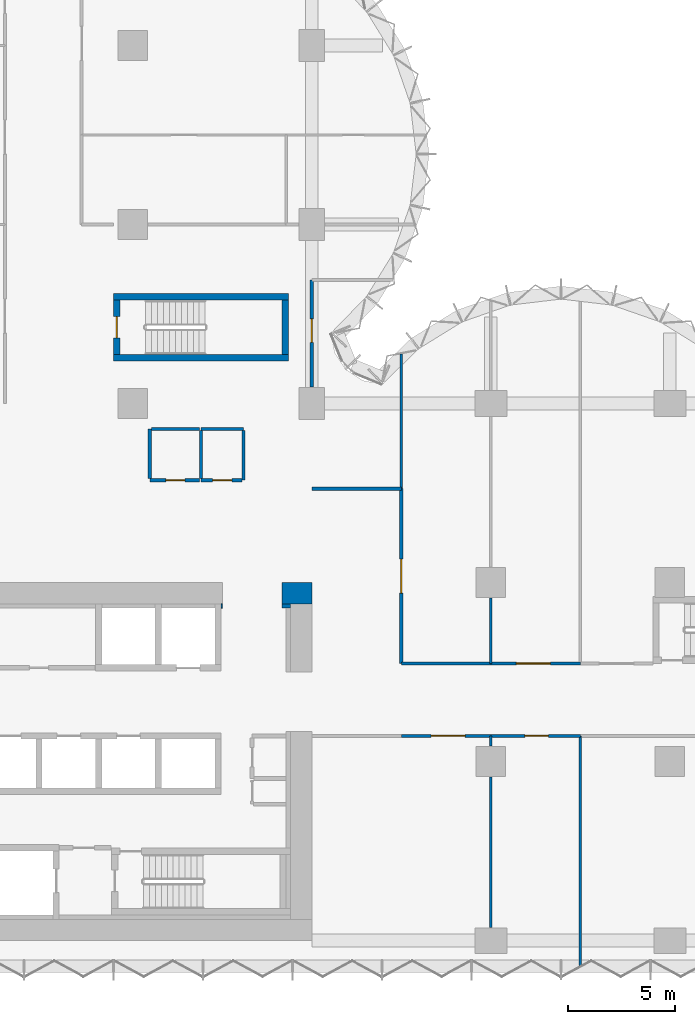
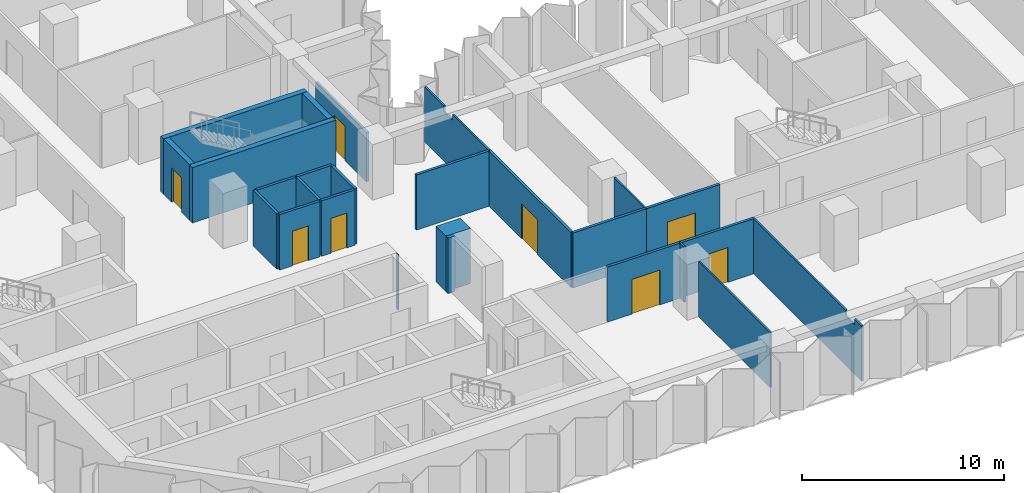
# One storey, part 9 of 15: 26 walls, 8 doors, 8 openings.
"""IFC4 building model written with IfcOpenShell, lengths in metres."""

from ifc_helpers import new_model, si_unit, direction, frame, frame_2d, origin, place, context, subcontext, project, spatial, polyline, rectangle, outline, extrude, material, layer, layer_set, type_object, element, fill, save


model = new_model("IFC4")

# Units and contexts
model_context = context("Model", 3, precision=1e-05, world=origin(), true_north=direction((0.0, 1.0)))
body_context = subcontext(model_context, "Body", "Model", "MODEL_VIEW")
ifc_project = project(units=[si_unit("LENGTHUNIT", "METRE"), si_unit("AREAUNIT", "SQUARE_METRE"), si_unit("VOLUMEUNIT", "CUBIC_METRE"), si_unit("PLANEANGLEUNIT", "RADIAN"), si_unit("MASSUNIT", "GRAM", prefix="KILO")], contexts=[model_context])

# Site, building, storey
site_placement = place(None, origin())
site = spatial("IfcSite", under=ifc_project, at=site_placement, CompositionType="ELEMENT")
building_placement = place(site_placement, origin())
building = spatial("IfcBuilding", under=site, at=building_placement, Name="Brevane Broadcast Tower", CompositionType="ELEMENT")
storey_placement = place(building_placement, frame((0.0, 0.0, 76.10009765625)))
storey = spatial("IfcBuildingStorey", under=building, at=storey_placement, Name="L17", CompositionType="ELEMENT", Elevation=76.10009765625)

# Walls
ifc_material_1 = material(Name="Concrete C32/40", Category="concrete")
ifc_layer_1 = layer(ifc_material_1, 0.199951171875)
ifc_layer_set_1 = layer_set([ifc_layer_1], Name="Core chase wall 200 mm")
wall_type_1 = type_object("IfcWallType", Name="Core chase wall 200 mm", PredefinedType="PARTITIONING", material=ifc_layer_set_1)
wall_1_placement = place(storey_placement, frame((23.800048828125, 15.699951171875, 0.0), z_axis=(0.0, 0.0, 1.0), x_axis=(1.0, 0.0, 0.0)))
element("IfcWall", 1, at=wall_1_placement, inside=storey, type_object=wall_type_1, Name="L17 chase wall LN2", PredefinedType="PARTITIONING", context=body_context, shape_type="SweptSolid", body=[
    extrude(rectangle(XDim=0.39990234375, YDim=0.199951171875, at=frame_2d((0.199951171875, 0.0))), origin(), (0.0, 0.0, 1.0), 3.349853515625),
])
wall_2_placement = place(storey_placement, frame((20.949951171875, 15.699951171875, 0.0), z_axis=(0.0, 0.0, 1.0), x_axis=(1.0, 0.0, 0.0)))
element("IfcWall", 2, at=wall_2_placement, inside=storey, type_object=wall_type_1, Name="L17 chase wall LN1-2-2-2-2", PredefinedType="PARTITIONING", context=body_context, shape_type="SweptSolid", body=[
    extrude(rectangle(XDim=0.050048828125, YDim=0.199951171875, at=frame_2d((0.02490234375, 0.0))), origin(), (0.0, 0.0, 1.0), 3.349853515625),
])
ifc_material_2 = material(Name="Gypsum board on steel studs", Category="steel")
ifc_layer_2 = layer(ifc_material_2, 0.14990234375)
ifc_layer_set_2 = layer_set([ifc_layer_2], Name="Core fire partition 150 mm")
wall_type_2 = type_object("IfcWallType", Name="Core fire partition 150 mm", PredefinedType="PARTITIONING", material=ifc_layer_set_2)
wall_3_placement = place(storey_placement, frame((20.0, 24.0, 0.0), z_axis=(0.0, 0.0, 1.0), x_axis=(1.0, 0.0, 0.0)))
element("IfcWall", 3, at=wall_3_placement, inside=storey, type_object=wall_type_2, Name="L17 partition wall P15", PredefinedType="PARTITIONING", context=body_context, shape_type="SweptSolid", body=[
    extrude(rectangle(XDim=2.0, YDim=0.14990234375, at=frame_2d((1.0, 0.0))), origin(), (0.0, 0.0, 1.0), 3.349853515625),
])
wall_4_placement = place(storey_placement, frame((22.0, 23.925048828125, 0.0), z_axis=(0.0, 0.0, 1.0), x_axis=(0.0, -1.0, 0.0)))
element("IfcWall", 4, at=wall_4_placement, inside=storey, type_object=wall_type_2, Name="L17 partition wall P16", PredefinedType="PARTITIONING", context=body_context, shape_type="SweptSolid", body=[
    extrude(rectangle(XDim=2.324951171875, YDim=0.14990234375, at=frame_2d((1.16259765625, 0.0))), origin(), (0.0, 0.0, 1.0), 3.349853515625),
])

# Wall, opening, door
wall_5_placement = place(storey_placement, frame((21.925048828125, 21.60009765625, 0.0), z_axis=(0.0, 0.0, 1.0), x_axis=(-1.0, 0.0, 0.0)))
wall_5 = element("IfcWall", 5, at=wall_5_placement, inside=storey, type_object=wall_type_2, Name="L17 partition wall P17", PredefinedType="PARTITIONING", context=body_context, shape_type="SweptSolid", body=[
    extrude(rectangle(XDim=1.925048828125, YDim=0.14990234375, at=frame_2d((0.96240234375, 0.0))), origin(), (0.0, 0.0, 1.0), 3.349853515625),
])
opening_1_placement = place(wall_5_placement, frame((0.47509765625, 0.0, 0.0)))
opening_1 = element("IfcOpeningElement", 6, at=opening_1_placement, cuts=wall_5, Name="Opening L17-K24", PredefinedType="OPENING", context=body_context, shape_type="SweptSolid", body=[
    extrude(rectangle(XDim=0.89990234375, YDim=2.10009765625, at=frame_2d((0.449951171875, 1.050048828125))), frame((0.0, 0.0849609375, 0.0), z_axis=(0.0, -1.0, 0.0), x_axis=(1.0, 0.0, 0.0)), (0.0, 0.0, 1.0), 0.169921875),
])
ifc_material_3 = material(Name="Timber", Category="wood")
door_type_1 = type_object("IfcDoorType", Name="Toilet door 900 x 2100", OperationType="SINGLE_SWING_LEFT", PredefinedType="DOOR", material=ifc_material_3)
door_1_placement = place(opening_1_placement, origin())
door_1 = element("IfcDoor", 7, at=door_1_placement, inside=storey, type_object=door_type_1, Name="Door L17-K24", OperationType="SINGLE_SWING_RIGHT", OverallHeight=2.10009765625, OverallWidth=0.89990234375, PredefinedType="DOOR", context=body_context, shape_type="SweptSolid", body=[
    extrude(rectangle(XDim=0.89990234375, YDim=2.10009765625, at=frame_2d((0.449951171875, 1.050048828125))), frame((0.0, 0.02490234375, 0.0), z_axis=(0.0, -1.0, 0.0), x_axis=(1.0, 0.0, 0.0)), (0.0, 0.0, 1.0), 0.050048828125),
])
fill(opening_1, door_1)

# Wall
wall_6_placement = place(storey_placement, frame((20.0, 21.675048828125, 0.0), z_axis=(0.0, 0.0, 1.0), x_axis=(0.0, 1.0, 0.0)))
element("IfcWall", 8, at=wall_6_placement, inside=storey, type_object=wall_type_2, Name="L17 partition wall P18", PredefinedType="PARTITIONING", context=body_context, shape_type="SweptSolid", body=[
    extrude(rectangle(XDim=2.25, YDim=0.14990234375, at=frame_2d((1.125, 0.0))), origin(), (0.0, 0.0, 1.0), 3.349853515625),
])

# Wall, opening, door
wall_7_placement = place(storey_placement, frame((19.925048828125, 21.60009765625, 0.0), z_axis=(0.0, 0.0, 1.0), x_axis=(-1.0, 0.0, 0.0)))
wall_7 = element("IfcWall", 9, at=wall_7_placement, inside=storey, type_object=wall_type_2, Name="L17 partition wall P19", PredefinedType="PARTITIONING", context=body_context, shape_type="SweptSolid", body=[
    extrude(rectangle(XDim=2.324951171875, YDim=0.14990234375, at=frame_2d((1.16259765625, 0.0))), origin(), (0.0, 0.0, 1.0), 3.349853515625),
])
opening_2_placement = place(wall_7_placement, frame((0.675048828125, 0.0, 0.0)))
opening_2 = element("IfcOpeningElement", 10, at=opening_2_placement, cuts=wall_7, Name="Opening L17-K25", PredefinedType="OPENING", context=body_context, shape_type="SweptSolid", body=[
    extrude(rectangle(XDim=0.89990234375, YDim=2.10009765625, at=frame_2d((0.449951171875, 1.050048828125))), frame((0.0, 0.0849609375, 0.0), z_axis=(0.0, -1.0, 0.0), x_axis=(1.0, 0.0, 0.0)), (0.0, 0.0, 1.0), 0.169921875),
])
ifc_material_4 = material(Name="Steel", Category="steel")
door_type_2 = type_object("IfcDoorType", Name="Service room door 900 x 2100", OperationType="SINGLE_SWING_LEFT", PredefinedType="DOOR", material=ifc_material_4)
door_2_placement = place(opening_2_placement, origin())
door_2 = element("IfcDoor", 11, at=door_2_placement, inside=storey, type_object=door_type_2, Name="Door L17-K25", OperationType="SINGLE_SWING_LEFT", OverallHeight=2.10009765625, OverallWidth=0.89990234375, PredefinedType="DOOR", context=body_context, shape_type="SweptSolid", body=[
    extrude(rectangle(XDim=0.89990234375, YDim=2.10009765625, at=frame_2d((0.449951171875, 1.050048828125))), frame((0.0, 0.02490234375, 0.0), z_axis=(0.0, -1.0, 0.0), x_axis=(1.0, 0.0, 0.0)), (0.0, 0.0, 1.0), 0.050048828125),
])
fill(opening_2, door_2)

# Walls
wall_8_placement = place(storey_placement, frame((17.60009765625, 21.675048828125, 0.0), z_axis=(0.0, 0.0, 1.0), x_axis=(0.0, 1.0, 0.0)))
element("IfcWall", 12, at=wall_8_placement, inside=storey, type_object=wall_type_2, Name="L17 partition wall P20", PredefinedType="PARTITIONING", context=body_context, shape_type="SweptSolid", body=[
    extrude(rectangle(XDim=2.324951171875, YDim=0.14990234375, at=frame_2d((1.16259765625, 0.0))), origin(), (0.0, 0.0, 1.0), 3.349853515625),
])
wall_9_placement = place(storey_placement, frame((17.675048828125, 24.0, 0.0), z_axis=(0.0, 0.0, 1.0), x_axis=(1.0, 0.0, 0.0)))
element("IfcWall", 13, at=wall_9_placement, inside=storey, type_object=wall_type_2, Name="L17 partition wall P21", PredefinedType="PARTITIONING", context=body_context, shape_type="SweptSolid", body=[
    extrude(rectangle(XDim=2.25, YDim=0.14990234375, at=frame_2d((1.125, 0.0))), origin(), (0.0, 0.0, 1.0), 3.349853515625),
])
ifc_material_5 = material(Name="Concrete C80/95", Category="concrete")
ifc_layer_3 = layer(ifc_material_5, 1.0)
ifc_layer_set_3 = layer_set([ifc_layer_3], Name="Core wall 1000 mm C80/95")
wall_type_3 = type_object("IfcWallType", Name="Core wall 1000 mm C80/95", PredefinedType="SHEAR", material=ifc_layer_set_3)
wall_10_placement = place(storey_placement, frame((23.800048828125, 16.300048828125, 0.0), z_axis=(0.0, 0.0, 1.0), x_axis=(1.0, 0.0, 0.0)))
element("IfcWall", 14, at=wall_10_placement, inside=storey, type_object=wall_type_3, Name="L17 outer wall WN2", PredefinedType="SHEAR", context=body_context, shape_type="SweptSolid", body=[
    extrude(rectangle(XDim=1.39990234375, YDim=1.0, at=frame_2d((0.699951171875, 0.0))), origin(), (0.0, 0.0, 1.0), 3.349853515625),
])
ifc_layer_4 = layer(ifc_material_5, 0.300048828125)
ifc_layer_set_4 = layer_set([ifc_layer_4], Name="Core wall 300 mm C80/95")
wall_type_4 = type_object("IfcWallType", Name="Core wall 300 mm C80/95", PredefinedType="SHEAR", material=ifc_layer_set_4)
for number, where, z_axis, x_axis, name in (
    (15, (15.89990234375, 27.35009765625, 0.0), (0.0, 0.0, 1.0), (1.0, 0.0, 0.0), "L17 stair wall ST-3-S"),
    (16, (15.89990234375, 30.199951171875, 0.0), (0.0, 0.0, 1.0), (1.0, 0.0, 0.0), "L17 stair wall ST-3-N"),
):
    element("IfcWall", number, at=place(storey_placement, frame(where, z_axis=z_axis, x_axis=x_axis)), inside=storey, type_object=wall_type_4, Name=name, PredefinedType="SHEAR", context=body_context, shape_type="SweptSolid", body=[
        extrude(rectangle(XDim=8.2001953125, YDim=0.300048828125, at=frame_2d((4.10009765625, 0.0))), origin(), (0.0, 0.0, 1.0), 3.349853515625),
    ])

# Wall, opening, door
wall_11_placement = place(storey_placement, frame((16.050048828125, 27.5, 0.0), z_axis=(0.0, 0.0, 1.0), x_axis=(0.0, 1.0, 0.0)))
wall_11 = element("IfcWall", 17, at=wall_11_placement, inside=storey, type_object=wall_type_4, Name="L17 stair wall ST-3-W", PredefinedType="SHEAR", context=body_context, shape_type="SweptSolid", body=[
    extrude(rectangle(XDim=2.550048828125, YDim=0.300048828125, at=frame_2d((1.27490234375, 0.0))), origin(), (0.0, 0.0, 1.0), 3.349853515625),
])
opening_3_placement = place(wall_11_placement, frame((0.77490234375, 0.0, 0.0)))
opening_3 = element("IfcOpeningElement", 18, at=opening_3_placement, cuts=wall_11, Name="Opening L17-K14", PredefinedType="OPENING", context=body_context, shape_type="SweptSolid", body=[
    extrude(rectangle(XDim=1.0, YDim=2.10009765625, at=frame_2d((0.5, 1.050048828125))), frame((0.0, 0.159912109375, 0.0), z_axis=(0.0, -1.0, 0.0), x_axis=(1.0, 0.0, 0.0)), (0.0, 0.0, 1.0), 0.320068359375),
])
door_type_3 = type_object("IfcDoorType", Name="Stair door 1000 x 2100", OperationType="SINGLE_SWING_LEFT", PredefinedType="DOOR", material=ifc_material_4)
door_3_placement = place(opening_3_placement, origin())
door_3 = element("IfcDoor", 19, at=door_3_placement, inside=storey, type_object=door_type_3, Name="Door L17-K14", OperationType="SINGLE_SWING_RIGHT", OverallHeight=2.10009765625, OverallWidth=1.0, PredefinedType="DOOR", context=body_context, shape_type="SweptSolid", body=[
    extrude(rectangle(XDim=1.0, YDim=2.10009765625, at=frame_2d((0.5, 1.050048828125))), frame((0.0, 0.02490234375, 0.0), z_axis=(0.0, -1.0, 0.0), x_axis=(1.0, 0.0, 0.0)), (0.0, 0.0, 1.0), 0.050048828125),
])
fill(opening_3, door_3)

# Walls
wall_12_placement = place(storey_placement, frame((23.949951171875, 27.5, 0.0), z_axis=(0.0, 0.0, 1.0), x_axis=(0.0, 1.0, 0.0)))
element("IfcWall", 20, at=wall_12_placement, inside=storey, type_object=wall_type_4, Name="L17 stair wall ST-3-E", PredefinedType="SHEAR", context=body_context, shape_type="SweptSolid", body=[
    extrude(rectangle(XDim=2.550048828125, YDim=0.300048828125, at=frame_2d((1.27490234375, 0.0))), origin(), (0.0, 0.0, 1.0), 3.349853515625),
])
ifc_material_6 = material(Name="Gypsum board partition")
ifc_layer_5 = layer(ifc_material_6, 0.10009765625)
ifc_layer_set_5 = layer_set([ifc_layer_5], Name="PARTITION 100 STUD")
wall_type_5 = type_object("IfcWallType", Name="PARTITION 100 STUD", PredefinedType="PARTITIONING", material=ifc_layer_set_5)
wall_13_placement = place(storey_placement, frame((29.39990234375, 27.510986328125, 0.0), z_axis=(0.0, 0.0, 1.0), x_axis=(0.0, -1.0, 0.0)))
element("IfcWall", 21, at=wall_13_placement, inside=storey, type_object=wall_type_5, Name="Partition G04-004", PredefinedType="PARTITIONING", context=body_context, shape_type="SweptSolid", body=[
    extrude(outline(polyline([(0.0, 0.0), (6.31103515625, 0.0), (6.31103515625, 3.329833984375), (2.760986328125, 3.329833984375), (2.759033203125, 2.97998046875), (1.863037109375, 2.97998046875), (1.861083984375, 3.329833984375), (0.236083984375, 3.329833984375), (0.0, 3.329833984375), (0.0, 0.0)])), frame((0.0, 0.050048828125, 0.0), z_axis=(0.0, -1.0, 0.0), x_axis=(1.0, 0.0, 0.0)), (0.0, 0.0, 1.0), 0.10009765625),
])
wall_14_placement = place(storey_placement, frame((33.60009765625, 9.60009765625, 0.0), z_axis=(0.0, 0.0, 1.0), x_axis=(0.0, -1.0, 0.0)))
element("IfcWall", 22, at=wall_14_placement, inside=storey, type_object=wall_type_5, Name="Partition G04-022", PredefinedType="PARTITIONING", context=body_context, shape_type="SweptSolid", body=[
    extrude(rectangle(XDim=0.47998046875, YDim=0.10009765625, at=frame_2d((0.239990234375, 0.0))), origin(), (0.0, 0.0, 1.0), 3.329833984375),
])
wall_15_placement = place(storey_placement, frame((33.60009765625, 7.679931640625, 0.0), z_axis=(0.0, 0.0, 1.0), x_axis=(0.0, -1.0, 0.0)))
element("IfcWall", 23, at=wall_15_placement, inside=storey, type_object=wall_type_5, Name="Partition G04-023", PredefinedType="PARTITIONING", context=body_context, shape_type="SweptSolid", body=[
    extrude(rectangle(XDim=7.059814453125, YDim=0.10009765625, at=frame_2d((3.52978515625, 0.0))), origin(), (0.0, 0.0, 1.0), 3.329833984375),
])
wall_16_placement = place(storey_placement, frame((37.800048828125, 9.60009765625, 0.0), z_axis=(0.0, 0.0, 1.0), x_axis=(0.0, -1.0, 0.0)))
element("IfcWall", 24, at=wall_16_placement, inside=storey, type_object=wall_type_5, Name="Partition G04-024", PredefinedType="PARTITIONING", context=body_context, shape_type="SweptSolid", body=[
    extrude(outline(polyline([(0.0, 0.0), (10.774169921875, 0.0), (10.77392578125, 3.329833984375), (10.699951171875, 3.329833984375), (10.050048828125, 3.329833984375), (10.048095703125, 2.97998046875), (9.152099609375, 2.97998046875), (9.14990234375, 3.329833984375), (0.0, 3.329833984375), (0.0, 0.0)])), frame((0.0, 0.050048828125, 0.0), z_axis=(0.0, -1.0, 0.0), x_axis=(1.0, 0.0, 0.0)), (0.0, 0.0, 1.0), 0.10009765625),
])
wall_17_placement = place(storey_placement, frame((33.60009765625, 16.080078125, 0.0), z_axis=(0.0, 0.0, 1.0), x_axis=(0.0, -1.0, 0.0)))
element("IfcWall", 25, at=wall_17_placement, inside=storey, type_object=wall_type_5, Name="Partition G04-028", PredefinedType="PARTITIONING", context=body_context, shape_type="SweptSolid", body=[
    extrude(rectangle(XDim=3.080078125, YDim=0.10009765625, at=frame_2d((1.5400390625, 0.0))), origin(), (0.0, 0.0, 1.0), 3.329833984375),
])
ifc_layer_6 = layer(ifc_material_6, 0.14990234375)
ifc_layer_set_6 = layer_set([ifc_layer_6], Name="PARTITION 150 EI 60")
wall_type_6 = type_object("IfcWallType", Name="PARTITION 150 EI 60", PredefinedType="PARTITIONING", material=ifc_layer_set_6)
wall_18_placement = place(storey_placement, frame((25.199951171875, 21.199951171875, 0.0), z_axis=(0.0, 0.0, 1.0), x_axis=(1.0, 0.0, 0.0)))
element("IfcWall", 26, at=wall_18_placement, inside=storey, type_object=wall_type_6, Name="Partition G04-001", PredefinedType="PARTITIONING", context=body_context, shape_type="SweptSolid", body=[
    extrude(rectangle(XDim=4.199951171875, YDim=0.14990234375, at=frame_2d((2.10009765625, 0.0))), origin(), (0.0, 0.0, 1.0), 3.329833984375),
])

# Wall, opening, door
wall_19_placement = place(storey_placement, frame((29.39990234375, 21.199951171875, 0.0), z_axis=(0.0, 0.0, 1.0), x_axis=(0.0, -1.0, 0.0)))
wall_19 = element("IfcWall", 27, at=wall_19_placement, inside=storey, type_object=wall_type_6, Name="Partition G04-003", PredefinedType="PARTITIONING", context=body_context, shape_type="SweptSolid", body=[
    extrude(rectangle(XDim=8.199951171875, YDim=0.14990234375, at=frame_2d((4.10009765625, 0.0))), origin(), (0.0, 0.0, 1.0), 3.329833984375),
])
opening_4_placement = place(wall_19_placement, frame((3.300048828125, 0.0, 0.0)))
opening_4 = element("IfcOpeningElement", 28, at=opening_4_placement, cuts=wall_19, Name="Opening D10-007", PredefinedType="OPENING", context=body_context, shape_type="SweptSolid", body=[
    extrude(rectangle(XDim=1.60009765625, YDim=2.10009765625, at=frame_2d((0.800048828125, 1.050048828125))), frame((0.0, 0.0849609375, 0.0), z_axis=(0.0, -1.0, 0.0), x_axis=(1.0, 0.0, 0.0)), (0.0, 0.0, 1.0), 0.169921875),
])
ifc_material_7 = material(Name="Fire-rated timber door leaf", Category="wood")
door_type_4 = type_object("IfcDoorType", Name="DOOR DOUBLE 1600 FD30S", OperationType="DOUBLE_DOOR_SINGLE_SWING", PredefinedType="DOOR", material=ifc_material_7)
door_4_placement = place(opening_4_placement, origin())
door_4 = element("IfcDoor", 29, at=door_4_placement, inside=storey, type_object=door_type_4, Name="Door D10-007", OperationType="DOUBLE_DOOR_SINGLE_SWING", OverallHeight=2.10009765625, OverallWidth=1.60009765625, PredefinedType="DOOR", context=body_context, shape_type="SweptSolid", body=[
    extrude(rectangle(XDim=1.60009765625, YDim=2.10009765625, at=frame_2d((0.800048828125, 1.050048828125))), frame((0.0, 0.02490234375, 0.0), z_axis=(0.0, -1.0, 0.0), x_axis=(1.0, 0.0, 0.0)), (0.0, 0.0, 1.0), 0.050048828125),
])
fill(opening_4, door_4)

wall_20_placement = place(storey_placement, frame((25.199951171875, 31.0, 0.0), z_axis=(0.0, 0.0, 1.0), x_axis=(0.0, -1.0, 0.0)))
wall_20 = element("IfcWall", 30, at=wall_20_placement, inside=storey, type_object=wall_type_6, Name="Partition G04-005", PredefinedType="PARTITIONING", context=body_context, shape_type="SweptSolid", body=[
    extrude(outline(polyline([(0.0, 0.0), (5.030029296875, 0.0), (5.030029296875, 2.97998046875), (0.0, 2.97998046875), (0.0, 0.0)])), frame((0.0, 0.074951171875, 0.0), z_axis=(0.0, -1.0, 0.0), x_axis=(1.0, 0.0, 0.0)), (0.0, 0.0, 1.0), 0.14990234375),
])
opening_5_placement = place(wall_20_placement, frame((1.830078125, 0.0, 0.0)))
opening_5 = element("IfcOpeningElement", 31, at=opening_5_placement, cuts=wall_20, Name="Opening D10-001", PredefinedType="OPENING", context=body_context, shape_type="SweptSolid", body=[
    extrude(rectangle(XDim=1.10009765625, YDim=2.10009765625, at=frame_2d((0.550048828125, 1.050048828125))), frame((0.0, 0.0849609375, 0.0), z_axis=(0.0, -1.0, 0.0), x_axis=(1.0, 0.0, 0.0)), (0.0, 0.0, 1.0), 0.169921875),
])
door_type_5 = type_object("IfcDoorType", Name="DOOR SINGLE 1100 FD30S", OperationType="SINGLE_SWING_LEFT", PredefinedType="DOOR", material=ifc_material_7)
door_5_placement = place(opening_5_placement, origin())
door_5 = element("IfcDoor", 32, at=door_5_placement, inside=storey, type_object=door_type_5, Name="Door D10-001", OperationType="SINGLE_SWING_RIGHT", OverallHeight=2.10009765625, OverallWidth=1.10009765625, PredefinedType="DOOR", context=body_context, shape_type="SweptSolid", body=[
    extrude(rectangle(XDim=1.10009765625, YDim=2.10009765625, at=frame_2d((0.550048828125, 1.050048828125))), frame((0.0, 0.02490234375, 0.0), z_axis=(0.0, -1.0, 0.0), x_axis=(1.0, 0.0, 0.0)), (0.0, 0.0, 1.0), 0.050048828125),
])
fill(opening_5, door_5)

wall_21_placement = place(storey_placement, frame((33.60009765625, 9.60009765625, 0.0), z_axis=(0.0, 0.0, 1.0), x_axis=(-1.0, 0.0, 0.0)))
wall_21 = element("IfcWall", 33, at=wall_21_placement, inside=storey, type_object=wall_type_6, Name="Partition G04-008", PredefinedType="PARTITIONING", context=body_context, shape_type="SweptSolid", body=[
    extrude(rectangle(XDim=4.2001953125, YDim=0.14990234375, at=frame_2d((2.10009765625, 0.0))), origin(), (0.0, 0.0, 1.0), 3.329833984375),
])
opening_6_placement = place(wall_21_placement, frame((1.199951171875, 0.0, 0.0)))
opening_6 = element("IfcOpeningElement", 34, at=opening_6_placement, cuts=wall_21, Name="Opening D10-003", PredefinedType="OPENING", context=body_context, shape_type="SweptSolid", body=[
    extrude(rectangle(XDim=1.60009765625, YDim=2.10009765625, at=frame_2d((0.800048828125, 1.050048828125))), frame((0.0, 0.0849609375, 0.0), z_axis=(0.0, -1.0, 0.0), x_axis=(1.0, 0.0, 0.0)), (0.0, 0.0, 1.0), 0.169921875),
])
door_6_placement = place(opening_6_placement, origin())
door_6 = element("IfcDoor", 35, at=door_6_placement, inside=storey, type_object=door_type_4, Name="Door D10-003", OperationType="DOUBLE_DOOR_SINGLE_SWING", OverallHeight=2.10009765625, OverallWidth=1.60009765625, PredefinedType="DOOR", context=body_context, shape_type="SweptSolid", body=[
    extrude(rectangle(XDim=1.60009765625, YDim=2.10009765625, at=frame_2d((0.800048828125, 1.050048828125))), frame((0.0, 0.02490234375, 0.0), z_axis=(0.0, -1.0, 0.0), x_axis=(1.0, 0.0, 0.0)), (0.0, 0.0, 1.0), 0.050048828125),
])
fill(opening_6, door_6)

wall_22_placement = place(storey_placement, frame((37.800048828125, 9.60009765625, 0.0), z_axis=(0.0, 0.0, 1.0), x_axis=(-1.0, 0.0, 0.0)))
wall_22 = element("IfcWall", 36, at=wall_22_placement, inside=storey, type_object=wall_type_6, Name="Partition G04-009", PredefinedType="PARTITIONING", context=body_context, shape_type="SweptSolid", body=[
    extrude(rectangle(XDim=4.199951171875, YDim=0.14990234375, at=frame_2d((2.10009765625, 0.0))), origin(), (0.0, 0.0, 1.0), 3.329833984375),
])
opening_7_placement = place(wall_22_placement, frame((1.5, 0.0, 0.0)))
opening_7 = element("IfcOpeningElement", 37, at=opening_7_placement, cuts=wall_22, Name="Opening D10-004", PredefinedType="OPENING", context=body_context, shape_type="SweptSolid", body=[
    extrude(rectangle(XDim=1.10009765625, YDim=2.10009765625, at=frame_2d((0.550048828125, 1.050048828125))), frame((0.0, 0.0849609375, 0.0), z_axis=(0.0, -1.0, 0.0), x_axis=(1.0, 0.0, 0.0)), (0.0, 0.0, 1.0), 0.169921875),
])
door_7_placement = place(opening_7_placement, origin())
door_7 = element("IfcDoor", 38, at=door_7_placement, inside=storey, type_object=door_type_5, Name="Door D10-004", OperationType="SINGLE_SWING_LEFT", OverallHeight=2.10009765625, OverallWidth=1.10009765625, PredefinedType="DOOR", context=body_context, shape_type="SweptSolid", body=[
    extrude(rectangle(XDim=1.10009765625, YDim=2.10009765625, at=frame_2d((0.550048828125, 1.050048828125))), frame((0.0, 0.02490234375, 0.0), z_axis=(0.0, -1.0, 0.0), x_axis=(1.0, 0.0, 0.0)), (0.0, 0.0, 1.0), 0.050048828125),
])
fill(opening_7, door_7)

# Wall
wall_23_placement = place(storey_placement, frame((29.39990234375, 13.0, 0.0), z_axis=(0.0, 0.0, 1.0), x_axis=(1.0, 0.0, 0.0)))
element("IfcWall", 39, at=wall_23_placement, inside=storey, type_object=wall_type_6, Name="Partition G04-012", PredefinedType="PARTITIONING", context=body_context, shape_type="SweptSolid", body=[
    extrude(rectangle(XDim=4.2001953125, YDim=0.14990234375, at=frame_2d((2.10009765625, 0.0))), origin(), (0.0, 0.0, 1.0), 3.329833984375),
])

# Wall, opening, door
wall_24_placement = place(storey_placement, frame((33.60009765625, 13.0, 0.0), z_axis=(0.0, 0.0, 1.0), x_axis=(1.0, 0.0, 0.0)))
wall_24 = element("IfcWall", 40, at=wall_24_placement, inside=storey, type_object=wall_type_6, Name="Partition G04-013", PredefinedType="PARTITIONING", context=body_context, shape_type="SweptSolid", body=[
    extrude(rectangle(XDim=4.199951171875, YDim=0.14990234375, at=frame_2d((2.10009765625, 0.0))), origin(), (0.0, 0.0, 1.0), 3.329833984375),
])
opening_8_placement = place(wall_24_placement, frame((1.199951171875, 0.0, 0.0)))
opening_8 = element("IfcOpeningElement", 41, at=opening_8_placement, cuts=wall_24, Name="Opening D10-008", PredefinedType="OPENING", context=body_context, shape_type="SweptSolid", body=[
    extrude(rectangle(XDim=1.60009765625, YDim=2.10009765625, at=frame_2d((0.800048828125, 1.050048828125))), frame((0.0, 0.0849609375, 0.0), z_axis=(0.0, -1.0, 0.0), x_axis=(1.0, 0.0, 0.0)), (0.0, 0.0, 1.0), 0.169921875),
])
door_8_placement = place(opening_8_placement, origin())
door_8 = element("IfcDoor", 42, at=door_8_placement, inside=storey, type_object=door_type_4, Name="Door D10-008", OperationType="DOUBLE_DOOR_SINGLE_SWING", OverallHeight=2.10009765625, OverallWidth=1.60009765625, PredefinedType="DOOR", context=body_context, shape_type="SweptSolid", body=[
    extrude(rectangle(XDim=1.60009765625, YDim=2.10009765625, at=frame_2d((0.800048828125, 1.050048828125))), frame((0.0, 0.02490234375, 0.0), z_axis=(0.0, -1.0, 0.0), x_axis=(1.0, 0.0, 0.0)), (0.0, 0.0, 1.0), 0.050048828125),
])
fill(opening_8, door_8)

save(model, "model.ifc")
